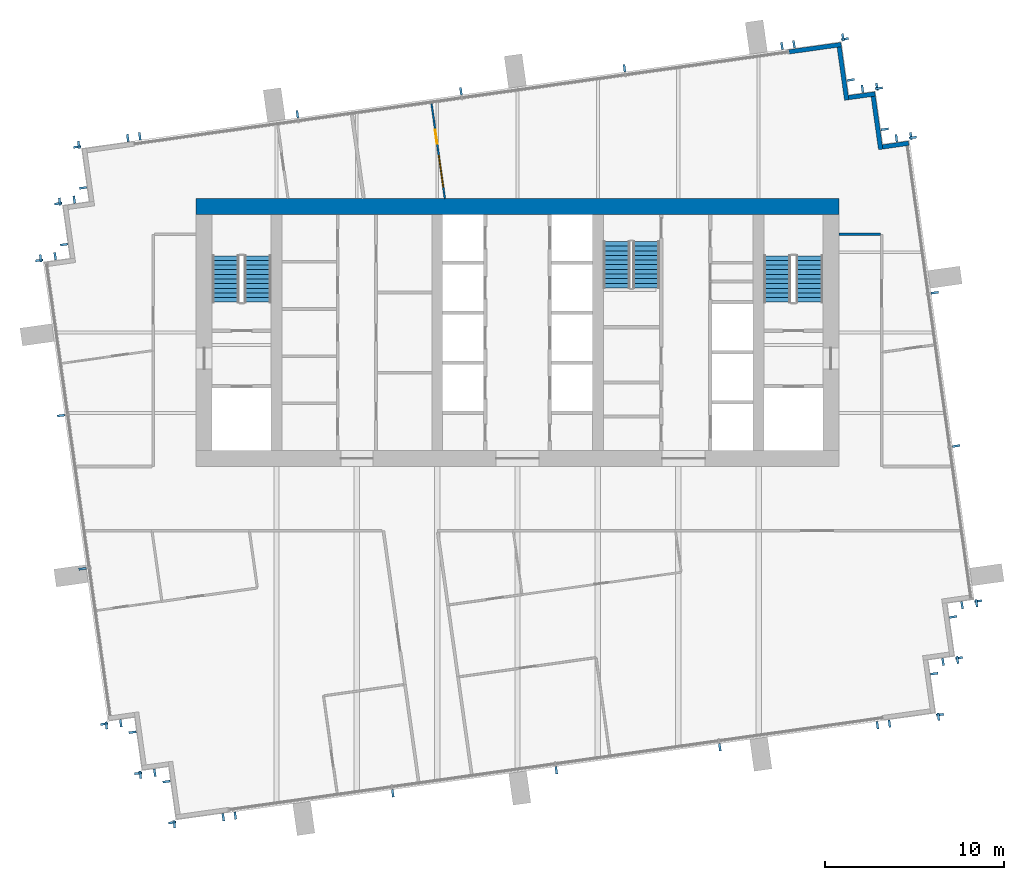
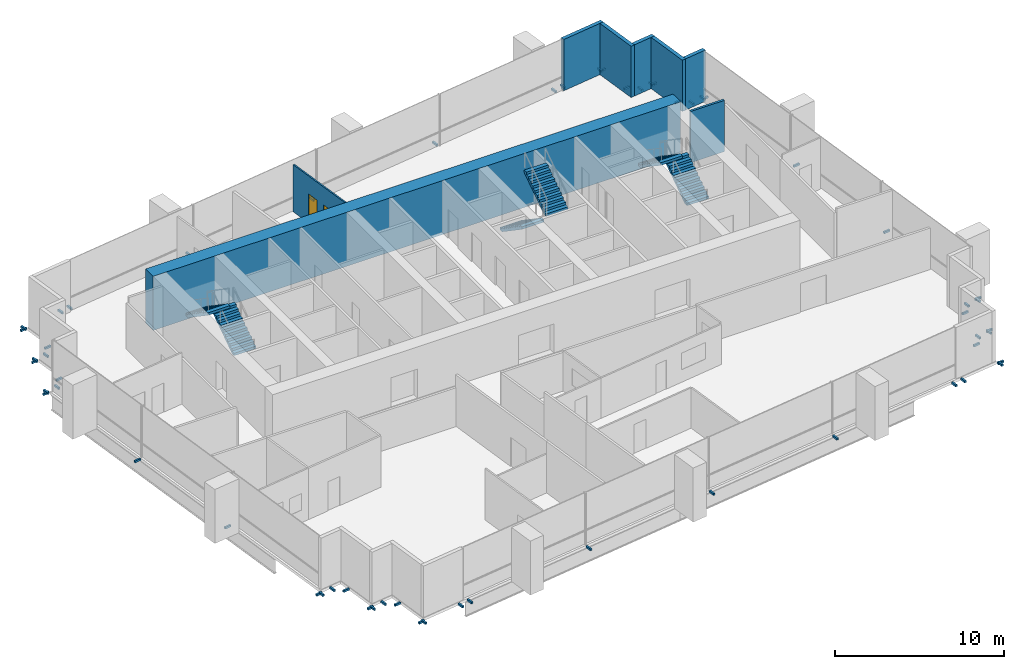
# One storey, part 11 of 12: 58 discrete accessories, 8 walls, 6 stair flights, 1 door, 1 window, 2 openings, 3 elements without a shape of their own.
"""IFC4 building model written with IfcOpenShell, lengths in metres."""

from ifc_helpers import new_model, si_unit, direction, frame, frame_2d, origin, origin_2d, place, context, subcontext, project, spatial, polyline, rectangle, outline, extrude, material, layer, layer_set, type_object, element, fill, aggregate, save


model = new_model("IFC4")

# Units and contexts
model_context = context("Model", 3, precision=1e-05, world=origin(), true_north=direction((0.0, 1.0)))
body_context = subcontext(model_context, "Body", "Model", "MODEL_VIEW")
ifc_project = project(units=[si_unit("LENGTHUNIT", "METRE"), si_unit("AREAUNIT", "SQUARE_METRE"), si_unit("VOLUMEUNIT", "CUBIC_METRE"), si_unit("PLANEANGLEUNIT", "RADIAN"), si_unit("MASSUNIT", "GRAM", prefix="KILO")], contexts=[model_context])

# Site, building, storey
site_placement = place(None, origin())
site = spatial("IfcSite", under=ifc_project, at=site_placement, CompositionType="ELEMENT")
building_placement = place(site_placement, origin())
building = spatial("IfcBuilding", under=site, at=building_placement, Name="Rattan Terrace Tower", CompositionType="ELEMENT")
storey_placement = place(building_placement, frame((0.0, 0.0, 259.0)))
storey = spatial("IfcBuildingStorey", under=building, at=storey_placement, Name="L59", CompositionType="ELEMENT", Elevation=259.0)

# Walls
ifc_material_1 = material(Name="Concrete C50/60", Category="concrete")
ifc_layer_1 = layer(ifc_material_1, 0.89990234375)
ifc_layer_set_1 = layer_set([ifc_layer_1], Name="Core ring wall 900 C50/60")
wall_type_1 = type_object("IfcWallType", Name="Core ring wall 900 C50/60", PredefinedType="SHEAR", material=ifc_layer_set_1)
wall_1_placement = place(storey_placement, frame((-18.0, 7.050048828125, -0.199951171875), z_axis=(0.0, 0.0, 1.0), x_axis=(1.0, 0.0, 0.0)))
element("IfcWall", 1, at=wall_1_placement, inside=storey, type_object=wall_type_1, Name="Rear core wall north", PredefinedType="SHEAR", context=body_context, shape_type="SweptSolid", body=[
    extrude(rectangle(XDim=36.0, YDim=0.89990234375, at=frame_2d((18.0, 0.0))), origin(), (0.0, 0.0, 1.0), 3.89990234375),
])
ifc_material_2 = material(Name="Insulated aluminium-clad stud wall", Category="aluminium")
ifc_layer_2 = layer(ifc_material_2, 0.25)
ifc_layer_set_2 = layer_set([ifc_layer_2], Name="Facade Riser Wall 250")
wall_type_2 = type_object("IfcWallType", Name="Facade Riser Wall 250", PredefinedType="SOLIDWALL", material=ifc_layer_set_2)
wall_2_placement = place(storey_placement, frame((21.90625, 10.60498046875, 0.0), z_axis=(0.0, 0.0, 1.0), x_axis=(-0.990235520307, -0.13940449893, 0.0)))
element("IfcWall", 2, at=wall_2_placement, inside=storey, type_object=wall_type_2, Name="Riser wall L59-6", PredefinedType="SOLIDWALL", context=body_context, shape_type="SweptSolid", body=[
    extrude(rectangle(XDim=1.474609375, YDim=0.25, at=frame_2d((0.7373046875, 0.0))), origin(), (0.0, 0.0, 1.0), 3.699951171875),
])
wall_3_placement = place(storey_placement, frame((20.33984375, 10.25830078125, 0.0), z_axis=(0.0, 0.0, 1.0), x_axis=(-0.139393225799, 0.990237107263, 0.0)))
element("IfcWall", 3, at=wall_3_placement, inside=storey, type_object=wall_type_2, Name="Riser wall L59-7", PredefinedType="SOLIDWALL", context=body_context, shape_type="SweptSolid", body=[
    extrude(rectangle(XDim=3.000244140625, YDim=0.25, at=frame_2d((1.5, 0.0))), origin(), (0.0, 0.0, 1.0), 3.699951171875),
])
wall_4_placement = place(storey_placement, frame((20.028076171875, 13.370361328125, 0.0), z_axis=(0.0, 0.0, 1.0), x_axis=(-0.990330117064, -0.138730887823, 0.0)))
element("IfcWall", 4, at=wall_4_placement, inside=storey, type_object=wall_type_2, Name="Riser wall L59-8", PredefinedType="SOLIDWALL", context=body_context, shape_type="SweptSolid", body=[
    extrude(rectangle(XDim=1.499267578125, YDim=0.25, at=frame_2d((0.74951171875, 0.0))), origin(), (0.0, 0.0, 1.0), 3.699951171875),
])
wall_5_placement = place(storey_placement, frame((18.436767578125, 13.021240234375, 0.0), z_axis=(0.0, 0.0, 1.0), x_axis=(-0.139358350296, 0.990242015975, 0.0)))
element("IfcWall", 5, at=wall_5_placement, inside=storey, type_object=wall_type_2, Name="Riser wall L59-9", PredefinedType="SOLIDWALL", context=body_context, shape_type="SweptSolid", body=[
    extrude(rectangle(XDim=2.999267578125, YDim=0.25, at=frame_2d((1.49951171875, 0.0))), origin(), (0.0, 0.0, 1.0), 3.699951171875),
])
wall_6_placement = place(storey_placement, frame((18.125244140625, 16.13232421875, 0.0), z_axis=(0.0, 0.0, 1.0), x_axis=(-0.990291981483, -0.139002846771, 0.0)))
element("IfcWall", 6, at=wall_6_placement, inside=storey, type_object=wall_type_2, Name="Riser wall L59-10", PredefinedType="SOLIDWALL", context=body_context, shape_type="SweptSolid", body=[
    extrude(rectangle(XDim=2.9541015625, YDim=0.25, at=frame_2d((1.47705078125, 0.0))), origin(), (0.0, 0.0, 1.0), 3.699951171875),
])

# Wall, openings, door, window
ifc_material_3 = material(Name="Gypsum board partition on steel studs", Category="steel")
ifc_layer_3 = layer(ifc_material_3, 0.10009765625)
ifc_layer_set_3 = layer_set([ifc_layer_3], Name="Floors Partition 100")
wall_type_3 = type_object("IfcWallType", Name="Floors Partition 100", PredefinedType="PARTITIONING", material=ifc_layer_set_3)
wall_7_placement = place(storey_placement, frame((-4.070068359375, 7.5, 0.0), z_axis=(0.0, 0.0, 1.0), x_axis=(-0.139122430522, 0.990275188685, 0.0)))
wall_7 = element("IfcWall", 7, at=wall_7_placement, inside=storey, type_object=wall_type_3, Name="pt-L59-036", PredefinedType="PARTITIONING", context=body_context, shape_type="SweptSolid", body=[
    extrude(rectangle(XDim=5.3681640625, YDim=0.10009765625, at=frame_2d((2.68408203125, 0.0))), origin(), (0.0, 0.0, 1.0), 3.39990234375),
])
opening_1_placement = place(wall_7_placement, frame((3.097900390625, 0.0, 0.0)))
opening_1 = element("IfcOpeningElement", 8, at=opening_1_placement, cuts=wall_7, Name="Opening L59-D113", PredefinedType="OPENING", context=body_context, shape_type="SweptSolid", body=[
    extrude(rectangle(XDim=0.800048828125, YDim=2.10009765625, at=frame_2d((0.39990234375, 1.050048828125))), frame((0.0, 0.060546875, 0.0), z_axis=(0.0, -1.0, 0.0), x_axis=(1.0, 0.0, 0.0)), (0.0, 0.0, 1.0), 0.12109375),
])
opening_2_placement = place(wall_7_placement, frame((0.64892578125, 0.0, 0.89990234375)))
opening_2 = element("IfcOpeningElement", 9, at=opening_2_placement, cuts=wall_7, Name="Opening L59-W105", PredefinedType="OPENING", context=body_context, shape_type="SweptSolid", body=[
    extrude(rectangle(XDim=1.800048828125, YDim=1.199951171875, at=frame_2d((0.89990234375, 0.60009765625))), frame((0.0, 0.060546875, 0.0), z_axis=(0.0, -1.0, 0.0), x_axis=(1.0, 0.0, 0.0)), (0.0, 0.0, 1.0), 0.12109375),
])
ifc_material_4 = material(Name="Solid core timber door, painted", Category="wood")
door_type = type_object("IfcDoorType", Name="Floors Store Door 800x2100", OperationType="NOTDEFINED", PredefinedType="DOOR", material=ifc_material_4)
door_placement = place(opening_1_placement, origin())
door = element("IfcDoor", 10, at=door_placement, inside=storey, type_object=door_type, Name="d-L59-113", OperationType="SINGLE_SWING_RIGHT", OverallHeight=2.10009765625, OverallWidth=0.800048828125, PredefinedType="DOOR", context=body_context, shape_type="SweptSolid", body=[
    extrude(rectangle(XDim=0.800048828125, YDim=2.10009765625, at=frame_2d((0.39990234375, 1.050048828125))), frame((0.0, 0.02490234375, 0.0), z_axis=(0.0, -1.0, 0.0), x_axis=(1.0, 0.0, 0.0)), (0.0, 0.0, 1.0), 0.050048828125),
])
fill(opening_1, door)
ifc_material_5 = material(Name="Glass, clear, fixed in aluminium frame", Category="aluminium")
window_type = type_object("IfcWindowType", Name="Interior Vision Window 1800x1200", PartitioningType="SINGLE_PANEL", PredefinedType="WINDOW", material=ifc_material_5)
window_placement = place(opening_2_placement, origin())
window = element("IfcWindow", 11, at=window_placement, inside=storey, type_object=window_type, Name="w-L59-105", OverallHeight=1.199951171875, OverallWidth=1.800048828125, PartitioningType="SINGLE_PANEL", PredefinedType="WINDOW", context=body_context, shape_type="SweptSolid", body=[
    extrude(rectangle(XDim=1.800048828125, YDim=1.199951171875, at=frame_2d((0.89990234375, 0.60009765625))), frame((0.0, 0.030029296875, 0.0), z_axis=(0.0, -1.0, 0.0), x_axis=(1.0, 0.0, 0.0)), (0.0, 0.0, 1.0), 0.06005859375),
])
fill(opening_2, window)

# Wall
ifc_material_6 = material(Name="Gypsum board partition on steel studs, fire rated", Category="steel")
ifc_layer_4 = layer(ifc_material_6, 0.14990234375)
ifc_layer_set_4 = layer_set([ifc_layer_4], Name="Floors Tenancy Wall 150")
wall_type_4 = type_object("IfcWallType", Name="Floors Tenancy Wall 150", PredefinedType="PARTITIONING", material=ifc_layer_set_4)
wall_8_placement = place(storey_placement, frame((18.0, 5.5009765625, 0.0), z_axis=(0.0, 0.0, 1.0), x_axis=(1.0, 0.0, 0.0)))
element("IfcWall", 12, at=wall_8_placement, inside=storey, type_object=wall_type_4, Name="pt-L59-016", PredefinedType="PARTITIONING", context=body_context, shape_type="SweptSolid", body=[
    extrude(rectangle(XDim=2.324951171875, YDim=0.14990234375, at=frame_2d((1.16259765625, 0.0))), origin(), (0.0, 0.0, 1.0), 3.699951171875),
])

# Stair, stair flights
ifc_material_7 = material(Name="Concrete C40/50", Category="concrete")
stair_type = type_object("IfcStairType", Name="Core exit stair 1500", PredefinedType="HALF_TURN_STAIR", material=ifc_material_7)
stair_1_placement = place(storey_placement, origin())
stair_1 = element("IfcStair", 13, at=stair_1_placement, inside=storey, type_object=stair_type, Name="L59 exit stair 1", PredefinedType="HALF_TURN_STAIR")
ifc_material_8 = material(Name="Concrete C40/50", Category="concrete")
stair_flight_type = type_object("IfcStairFlightType", Name="Core exit stair flight 1500", PredefinedType="STRAIGHT", material=ifc_material_8)
stair_flight_1_placement = place(storey_placement, frame((-14.550048828125, 1.699951171875, 0.0), z_axis=(0.0, 0.0, 1.0), x_axis=(0.0, 1.0, 0.0)))
stair_flight_1 = element("IfcStairFlight", 14, at=stair_flight_1_placement, type_object=stair_flight_type, Name="S1 flight 1", NumberOfRisers=11, NumberOfTreads=10, PredefinedType="STRAIGHT", RiserHeight=0.177272727, TreadLength=0.26, context=body_context, shape_type="SweptSolid", body=[
    extrude(outline(polyline([(0.0, 0.0), (0.0, 0.17724609375), (0.260009765625, 0.17724609375), (0.260009765625, 0.3544921875), (0.52001953125, 0.3544921875), (0.52001953125, 0.53173828125), (0.780029296875, 0.53173828125), (0.780029296875, 0.708984375), (1.0400390625, 0.708984375), (1.0400390625, 0.886474609375), (1.300048828125, 0.886474609375), (1.300048828125, 1.063720703125), (1.56005859375, 1.063720703125), (1.56005859375, 1.240966796875), (1.820068359375, 1.240966796875), (1.820068359375, 1.418212890625), (2.080078125, 1.418212890625), (2.080078125, 1.595458984375), (2.340087890625, 1.595458984375), (2.340087890625, 1.772705078125), (2.60009765625, 1.772705078125), (2.60009765625, 1.949951171875), (2.60009765625, 1.59130859375), (0.26611328125, 0.0), (0.0, 0.0)])), frame((0.0, 0.75, 0.0), z_axis=(0.0, -1.0, 0.0), x_axis=(1.0, 0.0, 0.0)), (0.0, 0.0, 1.0), 1.5),
])
stair_flight_2_placement = place(storey_placement, frame((-16.35009765625, 4.300048828125, 1.949951171875), z_axis=(0.0, 0.0, 1.0), x_axis=(0.0, -1.0, 0.0)))
stair_flight_2 = element("IfcStairFlight", 15, at=stair_flight_2_placement, type_object=stair_flight_type, Name="S1 flight 2", NumberOfRisers=11, NumberOfTreads=10, PredefinedType="STRAIGHT", RiserHeight=0.177272727, TreadLength=0.26, context=body_context, shape_type="SweptSolid", body=[
    extrude(outline(polyline([(0.0, 0.0), (0.0, 0.17724609375), (0.260009765625, 0.17724609375), (0.260009765625, 0.3544921875), (0.52001953125, 0.3544921875), (0.52001953125, 0.53173828125), (0.780029296875, 0.53173828125), (0.780029296875, 0.708984375), (1.0400390625, 0.708984375), (1.0400390625, 0.886474609375), (1.300048828125, 0.886474609375), (1.300048828125, 1.063720703125), (1.56005859375, 1.063720703125), (1.56005859375, 1.240966796875), (1.820068359375, 1.240966796875), (1.820068359375, 1.418212890625), (2.080078125, 1.418212890625), (2.080078125, 1.595458984375), (2.340087890625, 1.595458984375), (2.340087890625, 1.772705078125), (2.60009765625, 1.772705078125), (2.60009765625, 1.949951171875), (2.60009765625, 1.59130859375), (0.26611328125, 0.0), (0.0, 0.0)])), frame((0.0, 0.75, 0.0), z_axis=(0.0, -1.0, 0.0), x_axis=(1.0, 0.0, 0.0)), (0.0, 0.0, 1.0), 1.5),
])
aggregate(stair_1, [stair_flight_1, stair_flight_2])

stair_2_placement = place(storey_placement, origin())
stair_2 = element("IfcStair", 16, at=stair_2_placement, inside=storey, type_object=stair_type, Name="L59 exit stair 2", PredefinedType="HALF_TURN_STAIR")
stair_flight_3_placement = place(storey_placement, frame((16.35009765625, 1.699951171875, 0.0), z_axis=(0.0, 0.0, 1.0), x_axis=(0.0, 1.0, 0.0)))
stair_flight_3 = element("IfcStairFlight", 17, at=stair_flight_3_placement, type_object=stair_flight_type, Name="S2 flight 1", NumberOfRisers=11, NumberOfTreads=10, PredefinedType="STRAIGHT", RiserHeight=0.177272727, TreadLength=0.26, context=body_context, shape_type="SweptSolid", body=[
    extrude(outline(polyline([(0.0, 0.0), (0.0, 0.17724609375), (0.260009765625, 0.17724609375), (0.260009765625, 0.3544921875), (0.52001953125, 0.3544921875), (0.52001953125, 0.53173828125), (0.780029296875, 0.53173828125), (0.780029296875, 0.708984375), (1.0400390625, 0.708984375), (1.0400390625, 0.886474609375), (1.300048828125, 0.886474609375), (1.300048828125, 1.063720703125), (1.56005859375, 1.063720703125), (1.56005859375, 1.240966796875), (1.820068359375, 1.240966796875), (1.820068359375, 1.418212890625), (2.080078125, 1.418212890625), (2.080078125, 1.595458984375), (2.340087890625, 1.595458984375), (2.340087890625, 1.772705078125), (2.60009765625, 1.772705078125), (2.60009765625, 1.949951171875), (2.60009765625, 1.59130859375), (0.26611328125, 0.0), (0.0, 0.0)])), frame((0.0, 0.75, 0.0), z_axis=(0.0, -1.0, 0.0), x_axis=(1.0, 0.0, 0.0)), (0.0, 0.0, 1.0), 1.5),
])
stair_flight_4_placement = place(storey_placement, frame((14.550048828125, 4.300048828125, 1.949951171875), z_axis=(0.0, 0.0, 1.0), x_axis=(0.0, -1.0, 0.0)))
stair_flight_4 = element("IfcStairFlight", 18, at=stair_flight_4_placement, type_object=stair_flight_type, Name="S2 flight 2", NumberOfRisers=11, NumberOfTreads=10, PredefinedType="STRAIGHT", RiserHeight=0.177272727, TreadLength=0.26, context=body_context, shape_type="SweptSolid", body=[
    extrude(outline(polyline([(0.0, 0.0), (0.0, 0.17724609375), (0.260009765625, 0.17724609375), (0.260009765625, 0.3544921875), (0.52001953125, 0.3544921875), (0.52001953125, 0.53173828125), (0.780029296875, 0.53173828125), (0.780029296875, 0.708984375), (1.0400390625, 0.708984375), (1.0400390625, 0.886474609375), (1.300048828125, 0.886474609375), (1.300048828125, 1.063720703125), (1.56005859375, 1.063720703125), (1.56005859375, 1.240966796875), (1.820068359375, 1.240966796875), (1.820068359375, 1.418212890625), (2.080078125, 1.418212890625), (2.080078125, 1.595458984375), (2.340087890625, 1.595458984375), (2.340087890625, 1.772705078125), (2.60009765625, 1.772705078125), (2.60009765625, 1.949951171875), (2.60009765625, 1.59130859375), (0.26611328125, 0.0), (0.0, 0.0)])), frame((0.0, 0.75, 0.0), z_axis=(0.0, -1.0, 0.0), x_axis=(1.0, 0.0, 0.0)), (0.0, 0.0, 1.0), 1.5),
])
aggregate(stair_2, [stair_flight_3, stair_flight_4])

stair_3_placement = place(storey_placement, origin())
stair_3 = element("IfcStair", 19, at=stair_3_placement, inside=storey, type_object=stair_type, Name="L59 exit stair 3", PredefinedType="HALF_TURN_STAIR")
stair_flight_5_placement = place(storey_placement, frame((5.550048828125, 5.10009765625, 0.0), z_axis=(0.0, 0.0, 1.0), x_axis=(0.0, -1.0, 0.0)))
stair_flight_5 = element("IfcStairFlight", 20, at=stair_flight_5_placement, type_object=stair_flight_type, Name="S3 flight 1", NumberOfRisers=11, NumberOfTreads=10, PredefinedType="STRAIGHT", RiserHeight=0.177272727, TreadLength=0.26, context=body_context, shape_type="SweptSolid", body=[
    extrude(outline(polyline([(0.0, 0.0), (0.0, 0.17724609375), (0.260009765625, 0.17724609375), (0.260009765625, 0.3544921875), (0.52001953125, 0.3544921875), (0.52001953125, 0.53173828125), (0.780029296875, 0.53173828125), (0.780029296875, 0.708984375), (1.0400390625, 0.708984375), (1.0400390625, 0.886474609375), (1.300048828125, 0.886474609375), (1.300048828125, 1.063720703125), (1.56005859375, 1.063720703125), (1.56005859375, 1.240966796875), (1.820068359375, 1.240966796875), (1.820068359375, 1.418212890625), (2.080078125, 1.418212890625), (2.080078125, 1.595458984375), (2.340087890625, 1.595458984375), (2.340087890625, 1.772705078125), (2.60009765625, 1.772705078125), (2.60009765625, 1.949951171875), (2.60009765625, 1.59130859375), (0.26611328125, 0.0), (0.0, 0.0)])), frame((0.0, 0.75, 0.0), z_axis=(0.0, -1.0, 0.0), x_axis=(1.0, 0.0, 0.0)), (0.0, 0.0, 1.0), 1.5),
])
stair_flight_6_placement = place(storey_placement, frame((7.199951171875, 2.5, 1.949951171875), z_axis=(0.0, 0.0, 1.0), x_axis=(0.0, 1.0, 0.0)))
stair_flight_6 = element("IfcStairFlight", 21, at=stair_flight_6_placement, type_object=stair_flight_type, Name="S3 flight 2", NumberOfRisers=11, NumberOfTreads=10, PredefinedType="STRAIGHT", RiserHeight=0.177272727, TreadLength=0.26, context=body_context, shape_type="SweptSolid", body=[
    extrude(outline(polyline([(0.0, 0.0), (0.0, 0.17724609375), (0.260009765625, 0.17724609375), (0.260009765625, 0.3544921875), (0.52001953125, 0.3544921875), (0.52001953125, 0.53173828125), (0.780029296875, 0.53173828125), (0.780029296875, 0.708984375), (1.0400390625, 0.708984375), (1.0400390625, 0.886474609375), (1.300048828125, 0.886474609375), (1.300048828125, 1.063720703125), (1.56005859375, 1.063720703125), (1.56005859375, 1.240966796875), (1.820068359375, 1.240966796875), (1.820068359375, 1.418212890625), (2.080078125, 1.418212890625), (2.080078125, 1.595458984375), (2.340087890625, 1.595458984375), (2.340087890625, 1.772705078125), (2.60009765625, 1.772705078125), (2.60009765625, 1.949951171875), (2.60009765625, 1.59130859375), (0.26611328125, 0.0), (0.0, 0.0)])), frame((0.0, 0.75, 0.0), z_axis=(0.0, -1.0, 0.0), x_axis=(1.0, 0.0, 0.0)), (0.0, 0.0, 1.0), 1.5),
])
aggregate(stair_3, [stair_flight_5, stair_flight_6])

# Discrete accessories
for number, where, z_axis, x_axis, name in (
    (22, (20.829833984375, -21.900634765625, -0.169921875), (0.0, 0.0, 1.0), (0.990293172258, 0.138994363123, 0.0), "Panel bracket L59-1"),
    (23, (23.5732421875, -21.515625, -0.169921875), (0.0, 0.0, 1.0), (0.990293172258, 0.138994363123, 0.0), "Panel bracket L59-2"),
    (24, (23.658203125, -21.40283203125, -0.169921875), (0.0, 0.0, 1.0), (-0.138994363123, 0.990293172258, 0.0), "Panel bracket L59-3"),
    (25, (23.335693359375, -19.10498046875, -0.169921875), (0.0, 0.0, 1.0), (-0.138994363123, 0.990293172258, 0.0), "Panel bracket L59-4"),
    (26, (23.829345703125, -18.449951171875, -0.169921875), (0.0, 0.0, 1.0), (0.990240767803, 0.139367219175, 0.0), "Panel bracket L59-5"),
    (27, (24.64111328125, -18.335693359375, -0.169921875), (0.0, 0.0, 1.0), (0.990240767803, 0.139367219175, 0.0), "Panel bracket L59-6"),
    (28, (24.726318359375, -18.22265625, -0.169921875), (0.0, 0.0, 1.0), (-0.139367219175, 0.990240767803, 0.0), "Panel bracket L59-7"),
    (29, (24.403076171875, -15.926025390625, -0.169921875), (0.0, 0.0, 1.0), (-0.139367219175, 0.990240767803, 0.0), "Panel bracket L59-8"),
    (30, (24.896484375, -15.27099609375, -0.169921875), (0.0, 0.0, 1.0), (0.99025370695, 0.139275252184, 0.0), "Panel bracket L59-9"),
    (31, (25.708984375, -15.15673828125, -0.169921875), (0.0, 0.0, 1.0), (0.99025370695, 0.139275252184, 0.0), "Panel bracket L59-10"),
    (32, (25.794189453125, -15.043701171875, -0.169921875), (0.0, 0.0, 1.0), (-0.139191775431, 0.990265444036, 0.0), "Panel bracket L59-11"),
    (33, (24.572509765625, -6.35205078125, -0.169921875), (0.0, 0.0, 1.0), (-0.139191775431, 0.990265444036, 0.0), "Panel bracket L59-12"),
    (34, (23.3662109375, 2.23046875, -0.169921875), (0.0, 0.0, 1.0), (-0.139191775431, 0.990265444036, 0.0), "Panel bracket L59-13"),
    (35, (22.14453125, 10.921142578125, -0.169921875), (0.0, 0.0, 1.0), (-0.139191775431, 0.990265444036, 0.0), "Panel bracket L59-14"),
    (36, (22.03173828125, 11.00634765625, -0.169921875), (0.0, 0.0, 1.0), (-0.990240767803, -0.139367219175, 0.0), "Panel bracket L59-15"),
    (37, (21.219970703125, 10.89208984375, -0.169921875), (0.0, 0.0, 1.0), (-0.990240767803, -0.139367219175, 0.0), "Panel bracket L59-16"),
    (38, (20.56494140625, 11.385498046875, -0.169921875), (0.0, 0.0, 1.0), (-0.139321220646, 0.990247240581, 0.0), "Panel bracket L59-17"),
    (39, (20.24169921875, 13.682861328125, -0.169921875), (0.0, 0.0, 1.0), (-0.139321220646, 0.990247240581, 0.0), "Panel bracket L59-18"),
    (40, (20.12841796875, 13.768310546875, -0.169921875), (0.0, 0.0, 1.0), (-0.990332587523, -0.138713251317, 0.0), "Panel bracket L59-19"),
    (41, (19.31689453125, 13.654541015625, -0.169921875), (0.0, 0.0, 1.0), (-0.990332587523, -0.138713251317, 0.0), "Panel bracket L59-20"),
    (42, (18.661865234375, 14.148193359375, -0.169921875), (0.0, 0.0, 1.0), (-0.139367219175, 0.990240767803, 0.0), "Panel bracket L59-21"),
    (43, (18.338623046875, 16.445068359375, -0.169921875), (0.0, 0.0, 1.0), (-0.139367219175, 0.990240767803, 0.0), "Panel bracket L59-22"),
    (44, (18.2255859375, 16.5302734375, -0.169921875), (0.0, 0.0, 1.0), (-0.990286729519, -0.139040257974, 0.0), "Panel bracket L59-23"),
    (45, (15.4833984375, 16.145263671875, -0.169921875), (0.0, 0.0, 1.0), (-0.990286729519, -0.139040257974, 0.0), "Panel bracket L59-24"),
    (46, (14.81005859375, 16.050537109375, -0.169921875), (0.0, 0.0, 1.0), (-0.990265894013, -0.139188574079, 0.0), "Panel bracket L59-25"),
    (47, (5.98779296875, 14.810546875, -0.169921875), (0.0, 0.0, 1.0), (-0.990265894013, -0.139188574079, 0.0), "Panel bracket L59-26"),
    (48, (-3.171142578125, 13.523193359375, -0.169921875), (0.0, 0.0, 1.0), (-0.990265894013, -0.139188574079, 0.0), "Panel bracket L59-27"),
    (49, (-12.330078125, 12.23583984375, -0.169921875), (0.0, 0.0, 1.0), (-0.990265894013, -0.139188574079, 0.0), "Panel bracket L59-28"),
    (50, (-21.156494140625, 10.995361328125, -0.169921875), (0.0, 0.0, 1.0), (-0.990265894013, -0.139188574079, 0.0), "Panel bracket L59-29"),
    (51, (-21.829833984375, 10.900634765625, -0.169921875), (0.0, 0.0, 1.0), (-0.990293172258, -0.138994363123, 0.0), "Panel bracket L59-30"),
    (52, (-24.5732421875, 10.515625, -0.169921875), (0.0, 0.0, 1.0), (-0.990293172258, -0.138994363123, 0.0), "Panel bracket L59-31"),
    (53, (-24.658203125, 10.40283203125, -0.169921875), (0.0, 0.0, 1.0), (0.138994363123, -0.990293172258, 0.0), "Panel bracket L59-32"),
    (54, (-24.335693359375, 8.10498046875, -0.169921875), (0.0, 0.0, 1.0), (0.138994363123, -0.990293172258, 0.0), "Panel bracket L59-33"),
    (55, (-24.829345703125, 7.449951171875, -0.169921875), (0.0, 0.0, 1.0), (-0.990240767803, -0.139367219175, 0.0), "Panel bracket L59-34"),
    (56, (-25.64111328125, 7.335693359375, -0.169921875), (0.0, 0.0, 1.0), (-0.990240767803, -0.139367219175, 0.0), "Panel bracket L59-35"),
    (57, (-25.726318359375, 7.22265625, -0.169921875), (0.0, 0.0, 1.0), (0.139367219175, -0.990240767803, 0.0), "Panel bracket L59-36"),
    (58, (-25.403076171875, 4.926025390625, -0.169921875), (0.0, 0.0, 1.0), (0.139367219175, -0.990240767803, 0.0), "Panel bracket L59-37"),
    (59, (-25.896484375, 4.27099609375, -0.169921875), (0.0, 0.0, 1.0), (-0.99025370695, -0.139275252184, 0.0), "Panel bracket L59-38"),
    (60, (-26.708984375, 4.15673828125, -0.169921875), (0.0, 0.0, 1.0), (-0.99025370695, -0.139275252184, 0.0), "Panel bracket L59-39"),
    (61, (-26.794189453125, 4.043701171875, -0.169921875), (0.0, 0.0, 1.0), (0.139191775431, -0.990265444036, 0.0), "Panel bracket L59-40"),
    (62, (-25.572509765625, -4.64794921875, -0.169921875), (0.0, 0.0, 1.0), (0.139191775431, -0.990265444036, 0.0), "Panel bracket L59-41"),
    (63, (-24.3662109375, -13.23046875, -0.169921875), (0.0, 0.0, 1.0), (0.139191775431, -0.990265444036, 0.0), "Panel bracket L59-42"),
    (64, (-23.14453125, -21.921142578125, -0.169921875), (0.0, 0.0, 1.0), (0.139191775431, -0.990265444036, 0.0), "Panel bracket L59-43"),
    (65, (-23.03173828125, -22.00634765625, -0.169921875), (0.0, 0.0, 1.0), (0.990240767803, 0.139367219175, 0.0), "Panel bracket L59-44"),
    (66, (-22.219970703125, -21.89208984375, -0.169921875), (0.0, 0.0, 1.0), (0.990240767803, 0.139367219175, 0.0), "Panel bracket L59-45"),
    (67, (-21.56494140625, -22.385498046875, -0.169921875), (0.0, 0.0, 1.0), (0.139321220646, -0.990247240581, 0.0), "Panel bracket L59-46"),
    (68, (-21.24169921875, -24.682861328125, -0.169921875), (0.0, 0.0, 1.0), (0.139321220646, -0.990247240581, 0.0), "Panel bracket L59-47"),
    (69, (-21.12841796875, -24.768310546875, -0.169921875), (0.0, 0.0, 1.0), (0.990332587523, 0.138713251317, 0.0), "Panel bracket L59-48"),
    (70, (-20.31689453125, -24.654541015625, -0.169921875), (0.0, 0.0, 1.0), (0.990332587523, 0.138713251317, 0.0), "Panel bracket L59-49"),
    (71, (-19.661865234375, -25.148193359375, -0.169921875), (0.0, 0.0, 1.0), (0.139367219175, -0.990240767803, 0.0), "Panel bracket L59-50"),
    (72, (-19.338623046875, -27.445068359375, -0.169921875), (0.0, 0.0, 1.0), (0.139367219175, -0.990240767803, 0.0), "Panel bracket L59-51"),
    (73, (-19.2255859375, -27.5302734375, -0.169921875), (0.0, 0.0, 1.0), (0.990286729519, 0.139040257974, 0.0), "Panel bracket L59-52"),
    (74, (-16.4833984375, -27.145263671875, -0.169921875), (0.0, 0.0, 1.0), (0.990286729519, 0.139040257974, 0.0), "Panel bracket L59-53"),
    (75, (-15.81005859375, -27.050537109375, -0.169921875), (0.0, 0.0, 1.0), (0.990265894013, 0.139188574079, 0.0), "Panel bracket L59-54"),
    (76, (-6.98779296875, -25.810546875, -0.169921875), (0.0, 0.0, 1.0), (0.990265894013, 0.139188574079, 0.0), "Panel bracket L59-55"),
    (77, (2.171142578125, -24.523193359375, -0.169921875), (0.0, 0.0, 1.0), (0.990265894013, 0.139188574079, 0.0), "Panel bracket L59-56"),
    (78, (11.330078125, -23.23583984375, -0.169921875), (0.0, 0.0, 1.0), (0.990265894013, 0.139188574079, 0.0), "Panel bracket L59-57"),
    (79, (20.156494140625, -21.995361328125, -0.169921875), (0.0, 0.0, 1.0), (0.990265894013, 0.139188574079, 0.0), "Panel bracket L59-58"),
):
    element("IfcDiscreteAccessory", number, at=place(storey_placement, frame(where, z_axis=z_axis, x_axis=x_axis)), inside=storey, Name=name, PredefinedType="BRACKET", context=body_context, shape_type="SweptSolid", body=[
        extrude(rectangle(XDim=0.1201171875, YDim=0.419921875, at=origin_2d()), origin(), (0.0, 0.0, 1.0), 0.139892578125),
    ])

save(model, "model.ifc")
